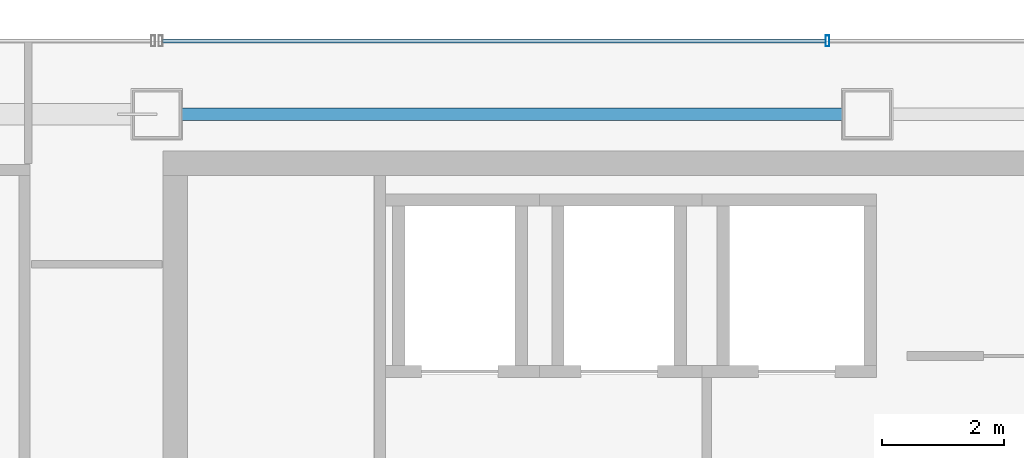
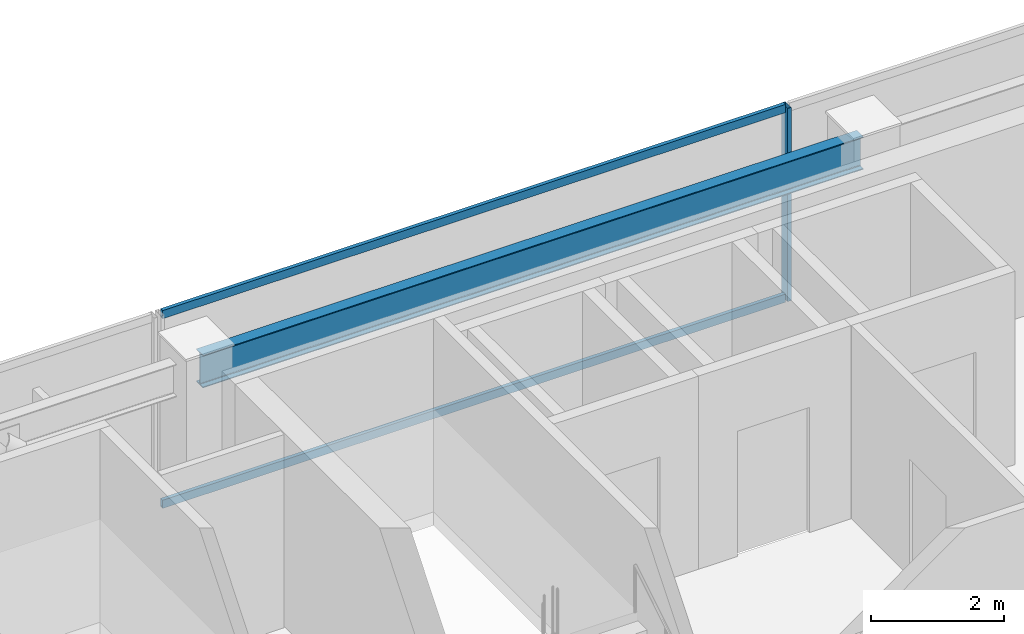
# One storey, part 21 of 32: 3 members, 1 beam, 1 element without a shape of its own.
"""IFC4 building model written with IfcOpenShell, lengths in metres."""

from ifc_helpers import new_model, si_unit, direction, frame, origin, origin_2d, place, context, subcontext, project, spatial, hollow_rectangle, i_section, extrude, material, material_profile, profile_set, type_object, element, aggregate, save


model = new_model("IFC4")

# Units and contexts
model_context = context("Model", 3, precision=1e-05, world=origin(), true_north=direction((0.0, 1.0)))
body_context = subcontext(model_context, "Body", "Model", "MODEL_VIEW")
ifc_project = project(units=[si_unit("LENGTHUNIT", "METRE"), si_unit("AREAUNIT", "SQUARE_METRE"), si_unit("VOLUMEUNIT", "CUBIC_METRE"), si_unit("PLANEANGLEUNIT", "RADIAN"), si_unit("MASSUNIT", "GRAM", prefix="KILO")], contexts=[model_context])

# Site, building, storey
site_placement = place(None, origin())
site = spatial("IfcSite", under=ifc_project, at=site_placement, CompositionType="ELEMENT")
building_placement = place(site_placement, origin())
building = spatial("IfcBuilding", under=site, at=building_placement, Name="Saevonmaru Cultural Tower", CompositionType="ELEMENT")
storey_placement = place(building_placement, frame((0.0, 0.0, 257.199951171875)))
storey = spatial("IfcBuildingStorey", under=building, at=storey_placement, Name="L60", CompositionType="ELEMENT", Elevation=257.199951171875)

# Beam
ifc_material_1 = material(Name="Steel SM355", Category="steel")
ifc_material_profile_1 = material_profile(ifc_material_1, i_section(OverallWidth=0.199951171875, OverallDepth=0.60009765625, WebThickness=0.010986328125, FlangeThickness=0.01708984375, FilletRadius=0.02197265625, at=origin_2d()), Name="H-600x200x11x17")
ifc_profile_set_1 = profile_set([ifc_material_profile_1], Name="Steel SM355")
beam_type = type_object("IfcBeamType", Name="BM-SP-H600", PredefinedType="SPANDREL", material=ifc_profile_set_1)
beam_placement = place(storey_placement, frame((13.659912109375, 54.800048828125, 3.25), z_axis=(1.0, 0.0, 0.0), x_axis=(0.0, 1.0, 0.0)))
element("IfcBeam", 1, at=beam_placement, inside=storey, type_object=beam_type, Name="L60 North Spine Girder 2", PredefinedType="SPANDREL", context=body_context, shape_type="SweptSolid", body=[
    extrude(i_section(OverallWidth=0.199951171875, OverallDepth=0.60009765625, WebThickness=0.010986328125, FlangeThickness=0.01708984375, FilletRadius=0.02197265625, at=origin_2d()), origin(), (0.0, 0.0, 1.0), 11.47998046875),
])

# Curtain wall, members
ifc_material_2 = material(Name="Satin Bronze Anodised Aluminium", Category="aluminium")
curtain_wall_type = type_object("IfcCurtainWallType", Name="CW-TYP-B", PredefinedType="NOTDEFINED", material=ifc_material_2)
curtain_wall_placement = place(storey_placement, origin())
curtain_wall = element("IfcCurtainWall", 2, at=curtain_wall_placement, inside=storey, type_object=curtain_wall_type, Name="L60 North Spine Unitised Curtain Wall E10B", PredefinedType="NOTDEFINED")
ifc_material_profile_2 = material_profile(ifc_material_2, hollow_rectangle(XDim=0.06494140625, YDim=0.179931640625, WallThickness=0.00390625, at=origin_2d()), Name="ALU-MULL-180x65x4")
ifc_profile_set_2 = profile_set([ifc_material_profile_2], Name="Satin Bronze Anodised Aluminium")
member_type_1 = type_object("IfcMemberType", Name="ML-CW-180x65", PredefinedType="MULLION", material=ifc_profile_set_2)
member_1_placement = place(storey_placement, frame((24.55322265625, 56.0, 0.0), z_axis=(0.0, 0.0, 1.0), x_axis=(-1.0, 0.0, 0.0)))
member_1 = element("IfcMember", 3, at=member_1_placement, type_object=member_type_1, Name="CW-TW-L60-E10B mullion 3", PredefinedType="MULLION", context=body_context, shape_type="SweptSolid", body=[
    extrude(hollow_rectangle(XDim=0.06494140625, YDim=0.179931640625, WallThickness=0.00390625, at=origin_2d()), origin(), (0.0, 0.0, 1.0), 3.550048828125),
])
ifc_material_profile_3 = material_profile(ifc_material_2, hollow_rectangle(XDim=0.06494140625, YDim=0.14990234375, WallThickness=0.00390625, at=origin_2d()), Name="ALU-TRAN-150x65x4")
ifc_profile_set_3 = profile_set([ifc_material_profile_3], Name="Satin Bronze Anodised Aluminium")
member_type_2 = type_object("IfcMemberType", Name="TR-CW-150x65", PredefinedType="USERDEFINED", material=ifc_profile_set_3)
member_2_placement = place(storey_placement, frame((24.520751953125, 56.0, 0.032470703125), z_axis=(-1.0, 0.0, 0.0), x_axis=(0.0, -1.0, 0.0)))
member_2 = element("IfcMember", 4, at=member_2_placement, type_object=member_type_2, Name="CW-TW-L60-E10B transom 3.1", ObjectType="TRANSOM", PredefinedType="USERDEFINED", context=body_context, shape_type="SweptSolid", body=[
    extrude(hollow_rectangle(XDim=0.06494140625, YDim=0.14990234375, WallThickness=0.00390625, at=origin_2d()), origin(), (0.0, 0.0, 1.0), 10.828369140625),
])
member_3_placement = place(storey_placement, frame((24.520751953125, 56.0, 3.517578125), z_axis=(-1.0, 0.0, 0.0), x_axis=(0.0, -1.0, 0.0)))
member_3 = element("IfcMember", 5, at=member_3_placement, type_object=member_type_2, Name="CW-TW-L60-E10B transom 3.2", ObjectType="TRANSOM", PredefinedType="USERDEFINED", context=body_context, shape_type="SweptSolid", body=[
    extrude(hollow_rectangle(XDim=0.06494140625, YDim=0.14990234375, WallThickness=0.00390625, at=origin_2d()), origin(), (0.0, 0.0, 1.0), 10.828369140625),
])
aggregate(curtain_wall, [member_1, member_2, member_3])

save(model, "model.ifc")
